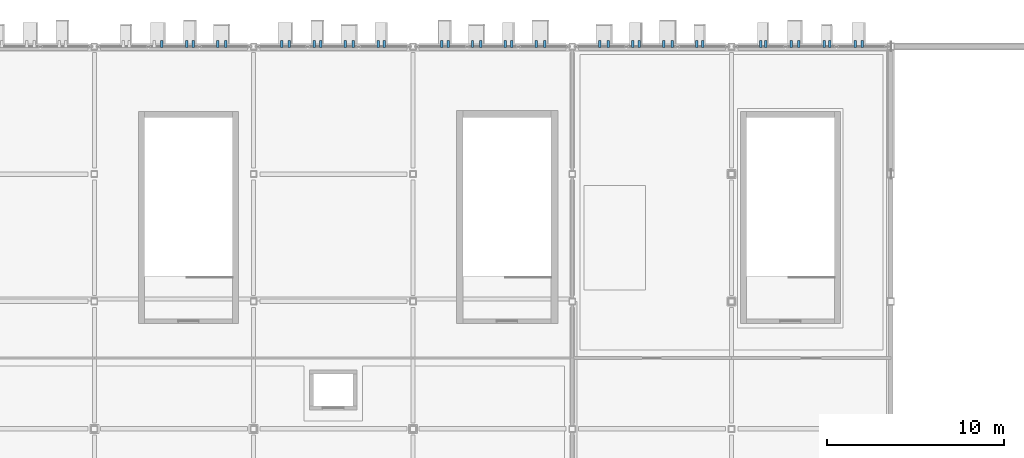
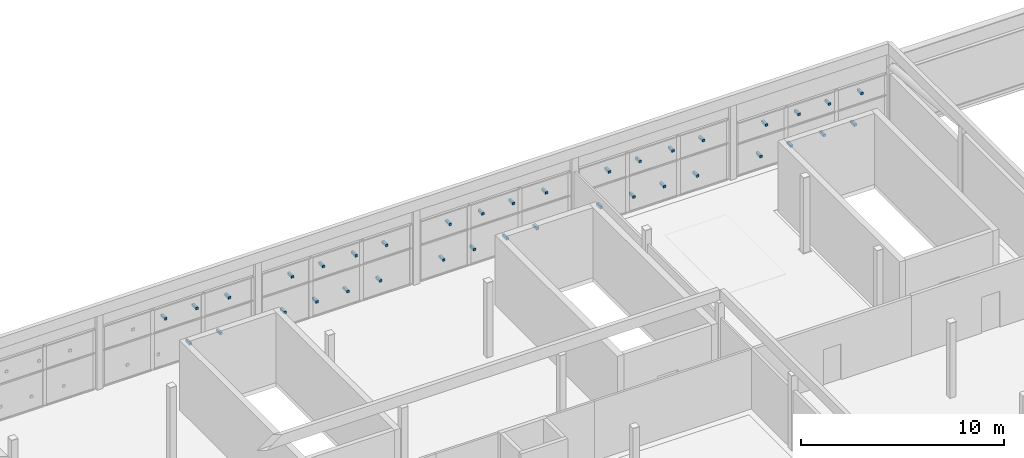
# One storey, part 112 of 124: 37 discrete accessories.
"""IFC4 building model written with IfcOpenShell, lengths in metres."""

from ifc_helpers import new_model, si_unit, direction, frame, origin, origin_2d, place, context, subcontext, project, spatial, rectangle, extrude, material, type_object, element, save


model = new_model("IFC4")

# Units and contexts
model_context = context("Model", 3, precision=1e-05, world=origin(), true_north=direction((0.0, 1.0)))
body_context = subcontext(model_context, "Body", "Model", "MODEL_VIEW")
ifc_project = project(units=[si_unit("LENGTHUNIT", "METRE"), si_unit("AREAUNIT", "SQUARE_METRE"), si_unit("VOLUMEUNIT", "CUBIC_METRE"), si_unit("PLANEANGLEUNIT", "RADIAN"), si_unit("MASSUNIT", "GRAM", prefix="KILO")], contexts=[model_context])

# Site, building, storey
site_placement = place(None, origin())
site = spatial("IfcSite", under=ifc_project, at=site_placement, CompositionType="ELEMENT")
building_placement = place(site_placement, origin())
building = spatial("IfcBuilding", under=site, at=building_placement, Name="Celestram Park Convention Centre", CompositionType="ELEMENT")
storey_placement = place(building_placement, frame((0.0, 0.0, 15.300048828125)))
storey = spatial("IfcBuildingStorey", under=building, at=storey_placement, Name="L03", CompositionType="ELEMENT", Elevation=15.300048828125)

# Discrete accessories
ifc_material = material(Name="Steel ASTM A500 Grade C", Category="steel")
discrete_accessory_type = type_object("IfcDiscreteAccessoryType", Name="ARC-BRK-OUT400", PredefinedType="BRACKET", material=ifc_material)
for number, where, z_axis, x_axis, name in (
    (1, (111.8134765625, 165.75, 2.75), (0.0, 0.0, 1.0), (0.0, 1.0, 0.0), "Solar fin outrigger bracket BK-L03-1340"),
    (2, (113.216064453125, 165.75, 0.751953125), (0.0, 0.0, 1.0), (0.0, 1.0, 0.0), "Solar fin outrigger bracket BK-L03-1341"),
    (3, (113.583984375, 165.75, 2.755859375), (0.0, 0.0, 1.0), (0.0, 1.0, 0.0), "Solar fin outrigger bracket BK-L03-1342"),
    (4, (114.9638671875, 165.75, 0.76318359375), (0.0, 0.0, 1.0), (0.0, 1.0, 0.0), "Solar fin outrigger bracket BK-L03-1343"),
    (5, (115.43603515625, 165.75, 2.7451171875), (0.0, 0.0, 1.0), (0.0, 1.0, 0.0), "Solar fin outrigger bracket BK-L03-1344"),
    (6, (118.58642578125, 165.75, 0.7578125), (0.0, 0.0, 1.0), (0.0, 1.0, 0.0), "Solar fin outrigger bracket BK-L03-1345"),
    (7, (119.013427734375, 165.75, 2.75), (0.0, 0.0, 1.0), (0.0, 1.0, 0.0), "Solar fin outrigger bracket BK-L03-1346"),
    (8, (120.416015625, 165.75, 0.751953125), (0.0, 0.0, 1.0), (0.0, 1.0, 0.0), "Solar fin outrigger bracket BK-L03-1347"),
    (9, (120.783935546875, 165.75, 2.755859375), (0.0, 0.0, 1.0), (0.0, 1.0, 0.0), "Solar fin outrigger bracket BK-L03-1348"),
    (10, (122.163818359375, 165.75, 0.76318359375), (0.0, 0.0, 1.0), (0.0, 1.0, 0.0), "Solar fin outrigger bracket BK-L03-1349"),
    (11, (122.635986328125, 165.75, 2.7451171875), (0.0, 0.0, 1.0), (0.0, 1.0, 0.0), "Solar fin outrigger bracket BK-L03-1350"),
    (12, (124.026611328125, 165.75, 0.75), (0.0, 0.0, 1.0), (0.0, 1.0, 0.0), "Solar fin outrigger bracket BK-L03-1351"),
    (13, (124.373291015625, 165.75, 2.7578125), (0.0, 0.0, 1.0), (0.0, 1.0, 0.0), "Solar fin outrigger bracket BK-L03-1352"),
    (14, (127.6162109375, 165.75, 0.751953125), (0.0, 0.0, 1.0), (0.0, 1.0, 0.0), "Solar fin outrigger bracket BK-L03-1353"),
    (15, (127.98388671875, 165.75, 2.755859375), (0.0, 0.0, 1.0), (0.0, 1.0, 0.0), "Solar fin outrigger bracket BK-L03-1354"),
    (16, (129.364013671875, 165.75, 0.76318359375), (0.0, 0.0, 1.0), (0.0, 1.0, 0.0), "Solar fin outrigger bracket BK-L03-1355"),
    (17, (129.836181640625, 165.75, 2.7451171875), (0.0, 0.0, 1.0), (0.0, 1.0, 0.0), "Solar fin outrigger bracket BK-L03-1356"),
    (18, (131.2265625, 165.75, 0.75), (0.0, 0.0, 1.0), (0.0, 1.0, 0.0), "Solar fin outrigger bracket BK-L03-1357"),
    (19, (131.573486328125, 165.75, 2.7578125), (0.0, 0.0, 1.0), (0.0, 1.0, 0.0), "Solar fin outrigger bracket BK-L03-1358"),
    (20, (132.95703125, 165.75, 0.7646484375), (0.0, 0.0, 1.0), (0.0, 1.0, 0.0), "Solar fin outrigger bracket BK-L03-1359"),
    (21, (133.443115234375, 165.75, 2.7431640625), (0.0, 0.0, 1.0), (0.0, 1.0, 0.0), "Solar fin outrigger bracket BK-L03-1360"),
    (22, (136.56396484375, 165.75, 0.76318359375), (0.0, 0.0, 1.0), (0.0, 1.0, 0.0), "Solar fin outrigger bracket BK-L03-1361"),
    (23, (137.0361328125, 165.75, 2.7451171875), (0.0, 0.0, 1.0), (0.0, 1.0, 0.0), "Solar fin outrigger bracket BK-L03-1362"),
    (24, (138.426513671875, 165.75, 0.75), (0.0, 0.0, 1.0), (0.0, 1.0, 0.0), "Solar fin outrigger bracket BK-L03-1363"),
    (25, (138.7734375, 165.75, 2.7578125), (0.0, 0.0, 1.0), (0.0, 1.0, 0.0), "Solar fin outrigger bracket BK-L03-1364"),
    (26, (140.156982421875, 165.75, 0.7646484375), (0.0, 0.0, 1.0), (0.0, 1.0, 0.0), "Solar fin outrigger bracket BK-L03-1365"),
    (27, (140.64306640625, 165.75, 2.7431640625), (0.0, 0.0, 1.0), (0.0, 1.0, 0.0), "Solar fin outrigger bracket BK-L03-1366"),
    (28, (142.037109375, 165.75, 0.74853515625), (0.0, 0.0, 1.0), (0.0, 1.0, 0.0), "Solar fin outrigger bracket BK-L03-1367"),
    (29, (142.36279296875, 165.75, 2.75927734375), (0.0, 0.0, 1.0), (0.0, 1.0, 0.0), "Solar fin outrigger bracket BK-L03-1368"),
    (30, (145.633544921875, 165.75, 0.65869140625), (0.0, 0.0, 1.0), (0.0, 1.0, 0.0), "Solar fin outrigger bracket BK-L03-1369"),
    (31, (145.94140625, 165.75, 2.4404296875), (0.0, 0.0, 1.0), (0.0, 1.0, 0.0), "Solar fin outrigger bracket BK-L03-1370"),
    (32, (147.371826171875, 165.75, 0.67138671875), (0.0, 0.0, 1.0), (0.0, 1.0, 0.0), "Solar fin outrigger bracket BK-L03-1371"),
    (33, (147.80322265625, 165.75, 2.427734375), (0.0, 0.0, 1.0), (0.0, 1.0, 0.0), "Solar fin outrigger bracket BK-L03-1372"),
    (34, (149.242919921875, 165.75, 0.6572265625), (0.0, 0.0, 1.0), (0.0, 1.0, 0.0), "Solar fin outrigger bracket BK-L03-1373"),
    (35, (149.531982421875, 165.75, 2.44189453125), (0.0, 0.0, 1.0), (0.0, 1.0, 0.0), "Solar fin outrigger bracket BK-L03-1374"),
    (36, (150.998046875, 165.75, 0.66552734375), (0.0, 0.0, 1.0), (0.0, 1.0, 0.0), "Solar fin outrigger bracket BK-L03-1375"),
    (37, (151.376953125, 165.75, 2.43359375), (0.0, 0.0, 1.0), (0.0, 1.0, 0.0), "Solar fin outrigger bracket BK-L03-1376"),
):
    element("IfcDiscreteAccessory", number, at=place(storey_placement, frame(where, z_axis=z_axis, x_axis=x_axis)), inside=storey, type_object=discrete_accessory_type, Name=name, PredefinedType="BRACKET", context=body_context, shape_type="SweptSolid", body=[
        extrude(rectangle(XDim=0.39990234375, YDim=0.139892578125, at=origin_2d()), origin(), (0.0, 0.0, 1.0), 0.139892578125),
    ])

save(model, "model.ifc")
